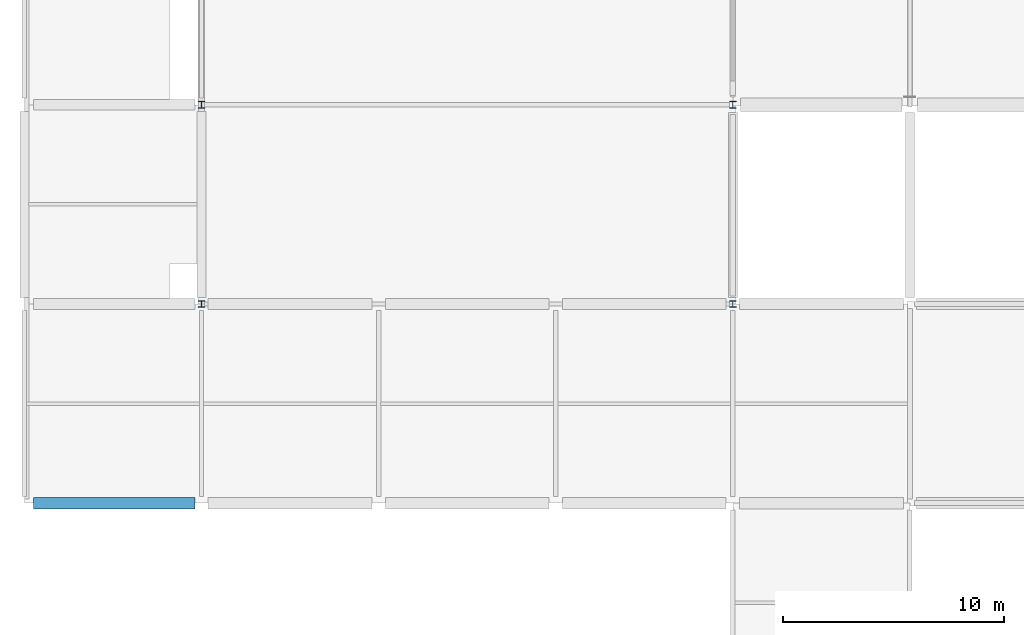
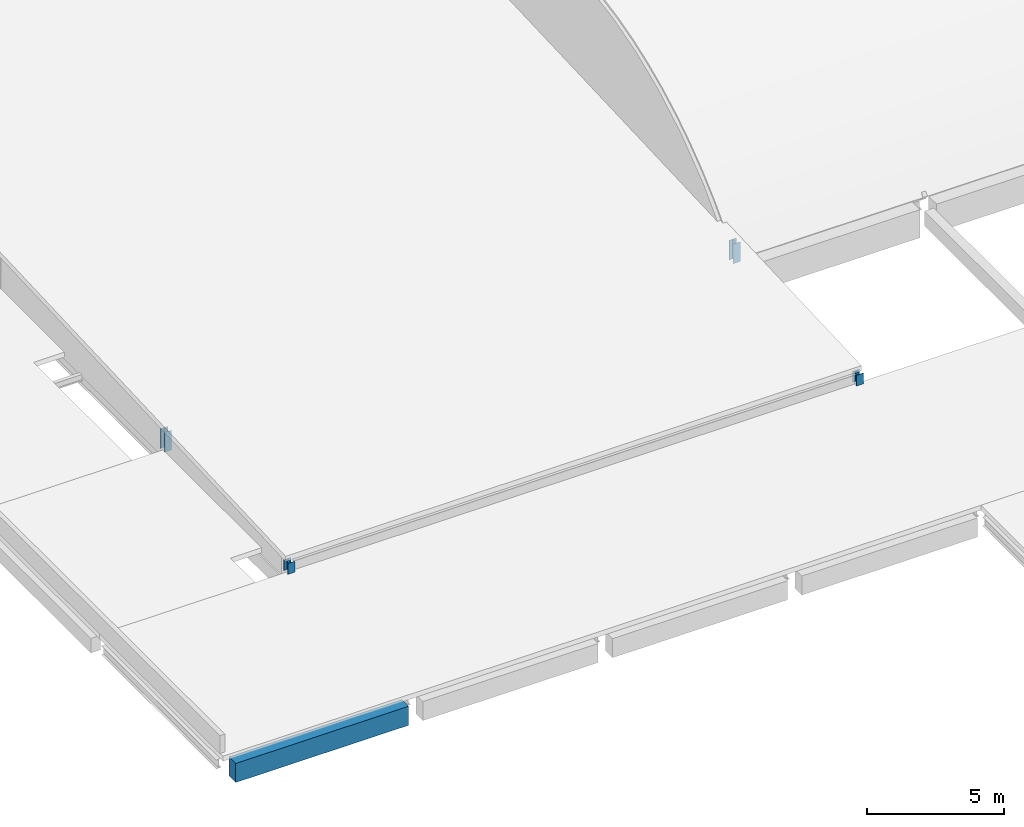
# One storey, part 3 of 57: 4 columns, 1 beam.
"""IFC4 building model written with IfcOpenShell, lengths in metres."""

from ifc_helpers import new_model, si_unit, direction, frame, origin, origin_2d, place, context, subcontext, project, spatial, rectangle, i_section, extrude, material, material_profile, profile_set, type_object, element, save


model = new_model("IFC4")

# Units and contexts
model_context = context("Model", 3, precision=1e-05, world=origin(), true_north=direction((0.0, 1.0)))
body_context = subcontext(model_context, "Body", "Model", "MODEL_VIEW")
ifc_project = project(units=[si_unit("LENGTHUNIT", "METRE"), si_unit("AREAUNIT", "SQUARE_METRE"), si_unit("VOLUMEUNIT", "CUBIC_METRE"), si_unit("PLANEANGLEUNIT", "RADIAN"), si_unit("MASSUNIT", "GRAM", prefix="KILO"), si_unit("THERMODYNAMICTEMPERATUREUNIT", "KELVIN"), si_unit("POWERUNIT", "WATT")], contexts=[model_context])

# Site, building, storey
site_placement = place(None, origin())
site = spatial("IfcSite", under=ifc_project, at=site_placement, CompositionType="ELEMENT")
building_placement = place(site_placement, origin())
building = spatial("IfcBuilding", under=site, at=building_placement, Name="Kronsvod Quay Wholesale Market", CompositionType="ELEMENT")
storey_placement = place(building_placement, frame((0.0, 0.0, 13.199951171875)))
storey = spatial("IfcBuildingStorey", under=building, at=storey_placement, Name="L03", CompositionType="ELEMENT", Elevation=13.199951171875)

# Columns
ifc_material_1 = material(Name="Steel S355", Category="steel")
ifc_material_profile_1 = material_profile(ifc_material_1, i_section(OverallWidth=0.299072265625, OverallDepth=0.298095703125, WebThickness=0.009033203125, FlangeThickness=0.013916015625, FilletRadius=0.01806640625, at=origin_2d()), Name="30K1")
ifc_profile_set_1 = profile_set([ifc_material_profile_1], Name="Steel S355")
column_type = type_object("IfcColumnType", Name="Col_Steel30K1", PredefinedType="COLUMN", material=ifc_profile_set_1)
column_1_placement = place(storey_placement, frame((8.0, 45.0, 0.0), z_axis=(0.0, 0.0, 1.0), x_axis=(1.0, 0.0, 0.0)))
element("IfcColumn", 1, at=column_1_placement, inside=storey, type_object=column_type, Name="SCOL-AUC-8-45", PredefinedType="COLUMN", context=body_context, shape_type="SweptSolid", body=[
    extrude(i_section(OverallWidth=0.299072265625, OverallDepth=0.298095703125, WebThickness=0.009033203125, FlangeThickness=0.013916015625, FilletRadius=0.01806640625, at=origin_2d()), origin(), (0.0, 0.0, 1.0), 0.47998046875),
])
column_2_placement = place(storey_placement, frame((8.0, 54.0, 0.0), z_axis=(0.0, 0.0, 1.0), x_axis=(1.0, 0.0, 0.0)))
element("IfcColumn", 2, at=column_2_placement, inside=storey, type_object=column_type, Name="SCOL-AUC-8-54", PredefinedType="COLUMN", context=body_context, shape_type="SweptSolid", body=[
    extrude(i_section(OverallWidth=0.299072265625, OverallDepth=0.298095703125, WebThickness=0.009033203125, FlangeThickness=0.013916015625, FilletRadius=0.01806640625, at=origin_2d()), origin(), (0.0, 0.0, 1.0), 0.8740234375),
])
column_3_placement = place(storey_placement, frame((32.0, 45.0, 0.0), z_axis=(0.0, 0.0, 1.0), x_axis=(1.0, 0.0, 0.0)))
element("IfcColumn", 3, at=column_3_placement, inside=storey, type_object=column_type, Name="SCOL-AUC-32-45", PredefinedType="COLUMN", context=body_context, shape_type="SweptSolid", body=[
    extrude(i_section(OverallWidth=0.299072265625, OverallDepth=0.298095703125, WebThickness=0.009033203125, FlangeThickness=0.013916015625, FilletRadius=0.01806640625, at=origin_2d()), origin(), (0.0, 0.0, 1.0), 0.47998046875),
])
column_4_placement = place(storey_placement, frame((32.0, 54.0, 0.0), z_axis=(0.0, 0.0, 1.0), x_axis=(1.0, 0.0, 0.0)))
element("IfcColumn", 4, at=column_4_placement, inside=storey, type_object=column_type, Name="SCOL-AUC-32-54", PredefinedType="COLUMN", context=body_context, shape_type="SweptSolid", body=[
    extrude(i_section(OverallWidth=0.299072265625, OverallDepth=0.298095703125, WebThickness=0.009033203125, FlangeThickness=0.013916015625, FilletRadius=0.01806640625, at=origin_2d()), origin(), (0.0, 0.0, 1.0), 0.8740234375),
])

# Beam
ifc_material_2 = material(Name="Precast concrete C40/50", Category="concrete")
ifc_material_profile_2 = material_profile(ifc_material_2, rectangle(XDim=0.5, YDim=0.85009765625, at=origin_2d()), Name="PCB500x850")
ifc_profile_set_2 = profile_set([ifc_material_profile_2], Name="Precast concrete C40/50")
beam_type = type_object("IfcBeamType", Name="Girder_PCB500x850", PredefinedType="T_BEAM", material=ifc_profile_set_2)
beam_placement = place(storey_placement, frame((0.39990234375, 36.0, -0.73486328125), z_axis=(1.0, 0.0, 0.0), x_axis=(0.0, 1.0, 0.0)))
element("IfcBeam", 5, at=beam_placement, inside=storey, type_object=beam_type, Name="BMX-L03-0-360", PredefinedType="T_BEAM", context=body_context, shape_type="SweptSolid", body=[
    extrude(rectangle(XDim=0.5, YDim=0.85009765625, at=origin_2d()), origin(), (0.0, 0.0, 1.0), 7.300048828125),
])

save(model, "model.ifc")
